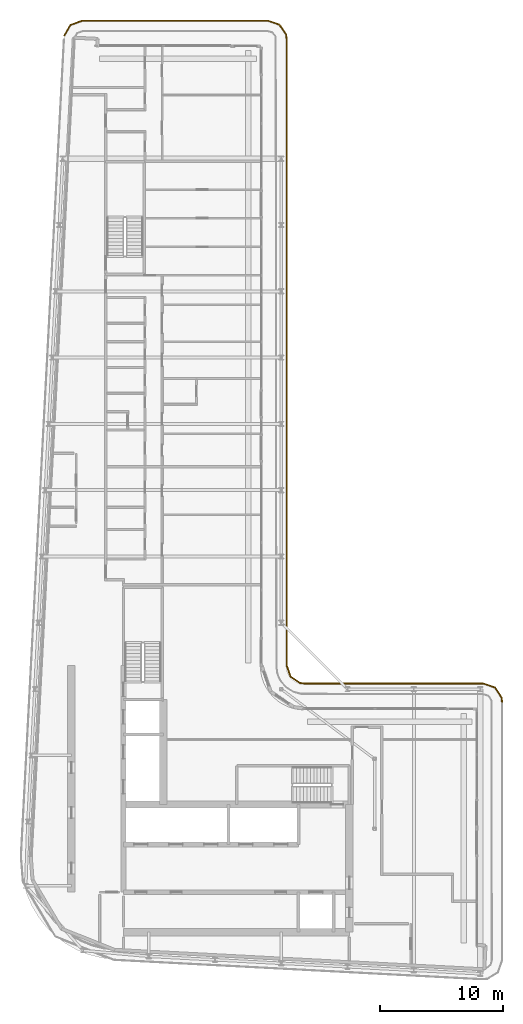
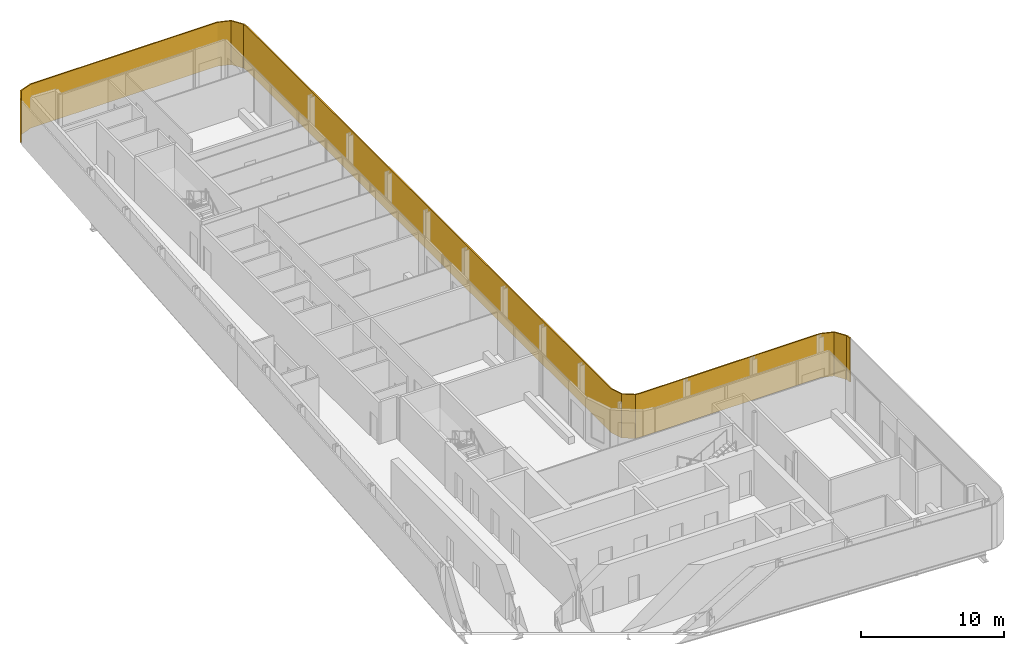
# One storey, part 20 of 21: 1 shading device.
"""IFC4 building model written with IfcOpenShell, lengths in metres."""

from ifc_helpers import new_model, si_unit, direction, frame, origin, place, context, subcontext, project, spatial, polyline, outline, extrude, material, layer, layer_set, type_object, element, save


model = new_model("IFC4")

# Units and contexts
model_context = context("Model", 3, precision=1e-05, world=origin(), true_north=direction((0.0, 1.0)))
body_context = subcontext(model_context, "Body", "Model", "MODEL_VIEW")
ifc_project = project(units=[si_unit("LENGTHUNIT", "METRE"), si_unit("AREAUNIT", "SQUARE_METRE"), si_unit("VOLUMEUNIT", "CUBIC_METRE"), si_unit("PLANEANGLEUNIT", "RADIAN"), si_unit("MASSUNIT", "GRAM", prefix="KILO")], contexts=[model_context])

# Site, building, storey
site_placement = place(None, origin())
site = spatial("IfcSite", under=ifc_project, at=site_placement, CompositionType="ELEMENT")
building_placement = place(site_placement, origin())
building = spatial("IfcBuilding", under=site, at=building_placement, Name="Kheshtan School and Residences Tower", CompositionType="ELEMENT")
storey_placement = place(building_placement, frame((0.0, 0.0, 278.60009765625)))
storey = spatial("IfcBuildingStorey", under=building, at=storey_placement, Name="L65", CompositionType="ELEMENT", Elevation=278.60009765625)

# Shading device
ifc_material = material(Name="Terracotta lattice, extruded ceramic", Category="masonry")
ifc_layer = layer(ifc_material, 0.10009765625)
ifc_layer_set = layer_set([ifc_layer], Name="Loggia screen, terracotta lattice")
shading_device_type = type_object("IfcShadingDeviceType", Name="Loggia screen, terracotta lattice", PredefinedType="USERDEFINED", material=ifc_layer_set)
shading_device_placement = place(storey_placement, origin())
element("IfcShadingDevice", 1, at=shading_device_placement, inside=storey, type_object=shading_device_type, Name="Screen L65 1", ObjectType="SCREEN", PredefinedType="USERDEFINED", context=body_context, shape_type="SweptSolid", body=[
    extrude(outline(polyline([(29.949951171875, 98.783935546875), (30.468017578125, 99.656982421875), (31.423095703125, 100.0), (46.5, 100.0), (47.4130859375, 99.68994140625), (47.948974609375, 98.887939453125), (48.0, 98.5), (48.0, 47.5), (48.31005859375, 46.5869140625), (49.112060546875, 46.051025390625), (49.5, 46.0), (64.050048828125, 46.0), (64.962890625, 45.68994140625), (65.4990234375, 44.887939453125), (65.550048828125, 44.5), (65.64892578125, 44.512939453125), (65.594970703125, 44.924072265625), (65.027099609375, 45.77392578125), (64.06689453125, 46.10009765625), (49.507080078125, 46.10009765625), (49.14794921875, 46.14697265625), (48.39404296875, 46.65087890625), (48.10009765625, 47.51708984375), (48.10009765625, 98.507080078125), (48.044921875, 98.924072265625), (47.47705078125, 99.77392578125), (46.51708984375, 100.10009765625), (31.406005859375, 100.10009765625), (30.39990234375, 99.739013671875), (29.864013671875, 98.8349609375), (29.949951171875, 98.783935546875)])), origin(), (0.0, 0.0, 1.0), 3.75),
])

save(model, "model.ifc")
